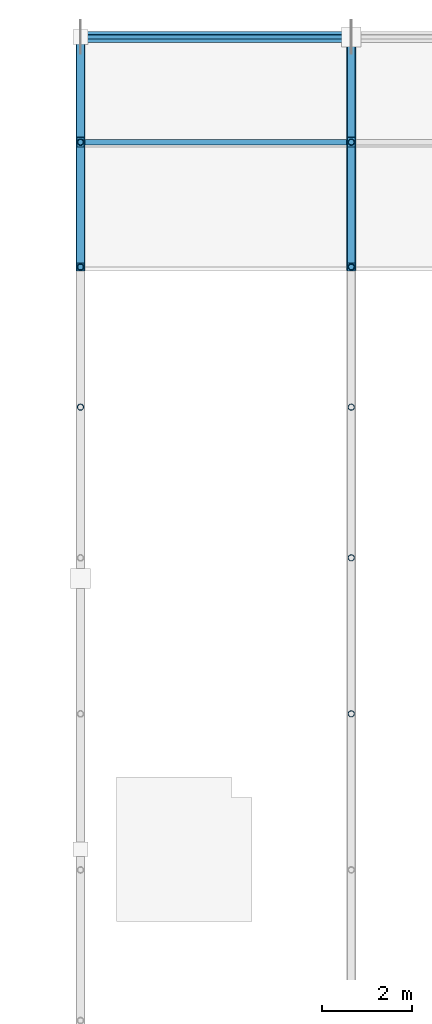
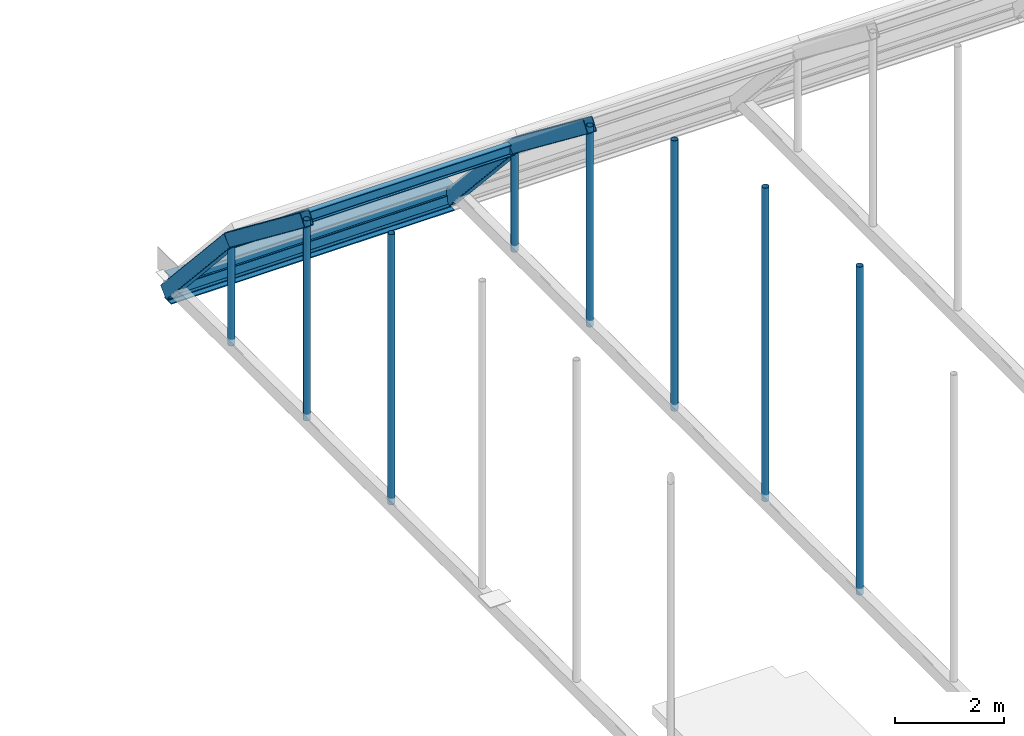
# One storey, part 22 of 63: 10 members, 5 beams.
"""IFC4 building model written with IfcOpenShell, lengths in metres."""

from ifc_helpers import new_model, si_unit, direction, frame, origin, origin_2d, place, context, subcontext, project, spatial, hollow_rectangle, hollow_circle, i_section, extrude, material, material_profile, profile_set, type_object, element, save


model = new_model("IFC4")

# Units and contexts
model_context = context("Model", 3, precision=1e-05, world=origin(), true_north=direction((0.0, 1.0)))
body_context = subcontext(model_context, "Body", "Model", "MODEL_VIEW")
ifc_project = project(units=[si_unit("LENGTHUNIT", "METRE"), si_unit("AREAUNIT", "SQUARE_METRE"), si_unit("VOLUMEUNIT", "CUBIC_METRE"), si_unit("PLANEANGLEUNIT", "RADIAN"), si_unit("MASSUNIT", "GRAM", prefix="KILO")], contexts=[model_context])

# Site, building, storey
site_placement = place(None, origin())
site = spatial("IfcSite", under=ifc_project, at=site_placement, CompositionType="ELEMENT")
building_placement = place(site_placement, origin())
building = spatial("IfcBuilding", under=site, at=building_placement, Name="Varnakota Square Police Headquarters", CompositionType="ELEMENT")
storey_placement = place(building_placement, frame((0.0, 0.0, 22.199951171875)))
storey = spatial("IfcBuildingStorey", under=building, at=storey_placement, Name="L05", CompositionType="ELEMENT", Elevation=22.199951171875)

# Beams
ifc_material = material(Name="Steel IS 2062 Grade 350", Category="steel")
ifc_material_profile_1 = material_profile(ifc_material, i_section(OverallWidth=0.25, OverallDepth=0.60009765625, WebThickness=0.01171875, FlangeThickness=0.023681640625, FilletRadius=0.01708984375, at=origin_2d()), Name="ISWB 600")
ifc_profile_set_1 = profile_set([ifc_material_profile_1], Name="Steel IS 2062 Grade 350")
beam_type_1 = type_object("IfcBeamType", Name="BM-ISWB600", PredefinedType="BEAM", material=ifc_profile_set_1)
beam_1_placement = place(storey_placement, frame((60.0, 99.0, -0.300048828125), z_axis=(1.0, 0.0, 0.0), x_axis=(0.0, 1.0, 0.0)))
element("IfcBeam", 1, at=beam_1_placement, inside=storey, type_object=beam_type_1, Name="Vault V2 north ring beam", PredefinedType="BEAM", context=body_context, shape_type="SweptSolid", body=[
    extrude(i_section(OverallWidth=0.25, OverallDepth=0.60009765625, WebThickness=0.01171875, FlangeThickness=0.023681640625, FilletRadius=0.01708984375, at=origin_2d()), origin(), (0.0, 0.0, 1.0), 6.0),
])
ifc_material_profile_2 = material_profile(ifc_material, hollow_rectangle(XDim=0.199951171875, YDim=0.300048828125, WallThickness=0.011962890625, InnerFilletRadius=0.011962890625, OuterFilletRadius=0.02392578125, at=origin_2d()), Name="RHS 300x200x12")
ifc_profile_set_2 = profile_set([ifc_material_profile_2], Name="Steel IS 2062 Grade 350")
beam_type_2 = type_object("IfcBeamType", Name="BM-VR-RHS300", PredefinedType="BEAM", material=ifc_profile_set_2)
beam_2_placement = place(storey_placement, frame((60.0, 93.902099609375, 4.33837890625), z_axis=(0.0, 0.792062306817, -0.610440252703), x_axis=(-1.0, 0.0, 0.0)))
element("IfcBeam", 2, at=beam_2_placement, inside=storey, type_object=beam_type_2, Name="Barrel vault arch rib chord VR-V2-R01-S09", PredefinedType="BEAM", context=body_context, shape_type="SweptSolid", body=[
    extrude(hollow_rectangle(XDim=0.199951171875, YDim=0.300048828125, WallThickness=0.011962890625, InnerFilletRadius=0.011962890625, OuterFilletRadius=0.02392578125, at=origin_2d()), origin(), (0.0, 0.0, 1.0), 3.4921875),
])
beam_3_placement = place(storey_placement, frame((60.0, 96.668212890625, 2.20654296875), z_axis=(0.0, 0.671520631111, -0.740985858159), x_axis=(-1.0, 0.0, 0.0)))
element("IfcBeam", 3, at=beam_3_placement, inside=storey, type_object=beam_type_2, Name="Barrel vault arch rib chord VR-V2-R01-S10", PredefinedType="BEAM", context=body_context, shape_type="SweptSolid", body=[
    extrude(hollow_rectangle(XDim=0.199951171875, YDim=0.300048828125, WallThickness=0.011962890625, InnerFilletRadius=0.011962890625, OuterFilletRadius=0.02392578125, at=origin_2d()), origin(), (0.0, 0.0, 1.0), 3.472412109375),
])
beam_4_placement = place(storey_placement, frame((66.0, 93.902099609375, 4.33837890625), z_axis=(0.0, 0.792062306817, -0.610440252703), x_axis=(-1.0, 0.0, 0.0)))
element("IfcBeam", 4, at=beam_4_placement, inside=storey, type_object=beam_type_2, Name="Barrel vault arch rib chord VR-V2-R02-S09", PredefinedType="BEAM", context=body_context, shape_type="SweptSolid", body=[
    extrude(hollow_rectangle(XDim=0.199951171875, YDim=0.300048828125, WallThickness=0.011962890625, InnerFilletRadius=0.011962890625, OuterFilletRadius=0.02392578125, at=origin_2d()), origin(), (0.0, 0.0, 1.0), 3.4921875),
])
beam_5_placement = place(storey_placement, frame((66.0, 96.668212890625, 2.20654296875), z_axis=(0.0, 0.671520631111, -0.740985858159), x_axis=(-1.0, 0.0, 0.0)))
element("IfcBeam", 5, at=beam_5_placement, inside=storey, type_object=beam_type_2, Name="Barrel vault arch rib chord VR-V2-R02-S10", PredefinedType="BEAM", context=body_context, shape_type="SweptSolid", body=[
    extrude(hollow_rectangle(XDim=0.199951171875, YDim=0.300048828125, WallThickness=0.011962890625, InnerFilletRadius=0.011962890625, OuterFilletRadius=0.02392578125, at=origin_2d()), origin(), (0.0, 0.0, 1.0), 3.472412109375),
])

# Members
ifc_material_profile_3 = material_profile(ifc_material, hollow_circle(Radius=0.06982421875, WallThickness=0.006103515625, at=origin_2d()), Name="CHS 139.7x6.0")
ifc_profile_set_3 = profile_set([ifc_material_profile_3], Name="Steel IS 2062 Grade 350")
member_type_1 = type_object("IfcMemberType", Name="MEM-HNG-CHS139", PredefinedType="STRUT", material=ifc_profile_set_3)
member_1_placement = place(storey_placement, frame((60.0, 90.79638671875, -0.14990234375), z_axis=(0.0, 0.0, 1.0), x_axis=(1.0, 0.0, 0.0)))
element("IfcMember", 6, at=member_1_placement, inside=storey, type_object=member_type_1, Name="Barrel vault hanger strut V2-R01-N7", PredefinedType="STRUT", context=body_context, shape_type="SweptSolid", body=[
    extrude(hollow_circle(Radius=0.06982421875, WallThickness=0.006103515625, at=origin_2d()), origin(), (0.0, 0.0, 1.0), 6.060302734375),
])
member_2_placement = place(storey_placement, frame((60.0, 93.902099609375, -0.14990234375), z_axis=(0.0, 0.0, 1.0), x_axis=(1.0, 0.0, 0.0)))
element("IfcMember", 7, at=member_2_placement, inside=storey, type_object=member_type_1, Name="Barrel vault hanger strut V2-R01-N8", PredefinedType="STRUT", context=body_context, shape_type="SweptSolid", body=[
    extrude(hollow_circle(Radius=0.06982421875, WallThickness=0.006103515625, at=origin_2d()), origin(), (0.0, 0.0, 1.0), 4.48828125),
])
member_3_placement = place(storey_placement, frame((60.0, 96.668212890625, -0.14990234375), z_axis=(0.0, 0.0, 1.0), x_axis=(1.0, 0.0, 0.0)))
element("IfcMember", 8, at=member_3_placement, inside=storey, type_object=member_type_1, Name="Barrel vault hanger strut V2-R01-N9", PredefinedType="STRUT", context=body_context, shape_type="SweptSolid", body=[
    extrude(hollow_circle(Radius=0.06982421875, WallThickness=0.006103515625, at=origin_2d()), origin(), (0.0, 0.0, 1.0), 2.3564453125),
])
member_4_placement = place(storey_placement, frame((66.0, 84.0, -0.14990234375), z_axis=(0.0, 0.0, 1.0), x_axis=(1.0, 0.0, 0.0)))
element("IfcMember", 9, at=member_4_placement, inside=storey, type_object=member_type_1, Name="Barrel vault hanger strut V2-R02-N5", PredefinedType="STRUT", context=body_context, shape_type="SweptSolid", body=[
    extrude(hollow_circle(Radius=0.06982421875, WallThickness=0.006103515625, at=origin_2d()), origin(), (0.0, 0.0, 1.0), 7.351318359375),
])
member_5_placement = place(storey_placement, frame((66.0, 87.45751953125, -0.14990234375), z_axis=(0.0, 0.0, 1.0), x_axis=(1.0, 0.0, 0.0)))
element("IfcMember", 10, at=member_5_placement, inside=storey, type_object=member_type_1, Name="Barrel vault hanger strut V2-R02-N6", PredefinedType="STRUT", context=body_context, shape_type="SweptSolid", body=[
    extrude(hollow_circle(Radius=0.06982421875, WallThickness=0.006103515625, at=origin_2d()), origin(), (0.0, 0.0, 1.0), 7.02490234375),
])
member_6_placement = place(storey_placement, frame((66.0, 90.79638671875, -0.14990234375), z_axis=(0.0, 0.0, 1.0), x_axis=(1.0, 0.0, 0.0)))
element("IfcMember", 11, at=member_6_placement, inside=storey, type_object=member_type_1, Name="Barrel vault hanger strut V2-R02-N7", PredefinedType="STRUT", context=body_context, shape_type="SweptSolid", body=[
    extrude(hollow_circle(Radius=0.06982421875, WallThickness=0.006103515625, at=origin_2d()), origin(), (0.0, 0.0, 1.0), 6.060302734375),
])
member_7_placement = place(storey_placement, frame((66.0, 93.902099609375, -0.14990234375), z_axis=(0.0, 0.0, 1.0), x_axis=(1.0, 0.0, 0.0)))
element("IfcMember", 12, at=member_7_placement, inside=storey, type_object=member_type_1, Name="Barrel vault hanger strut V2-R02-N8", PredefinedType="STRUT", context=body_context, shape_type="SweptSolid", body=[
    extrude(hollow_circle(Radius=0.06982421875, WallThickness=0.006103515625, at=origin_2d()), origin(), (0.0, 0.0, 1.0), 4.48828125),
])
member_8_placement = place(storey_placement, frame((66.0, 96.668212890625, -0.14990234375), z_axis=(0.0, 0.0, 1.0), x_axis=(1.0, 0.0, 0.0)))
element("IfcMember", 13, at=member_8_placement, inside=storey, type_object=member_type_1, Name="Barrel vault hanger strut V2-R02-N9", PredefinedType="STRUT", context=body_context, shape_type="SweptSolid", body=[
    extrude(hollow_circle(Radius=0.06982421875, WallThickness=0.006103515625, at=origin_2d()), origin(), (0.0, 0.0, 1.0), 2.3564453125),
])
ifc_material_profile_4 = material_profile(ifc_material, i_section(OverallWidth=0.125, OverallDepth=0.25, WebThickness=0.0068359375, FlangeThickness=0.012451171875, FilletRadius=0.012939453125, at=origin_2d()), Name="ISMB 250")
ifc_profile_set_4 = profile_set([ifc_material_profile_4], Name="Steel IS 2062 Grade 350")
member_type_2 = type_object("IfcMemberType", Name="MEM-PUR-ISMB250", PredefinedType="PURLIN", material=ifc_profile_set_4)
member_9_placement = place(storey_placement, frame((60.0, 96.668212890625, 2.156494140625), z_axis=(1.0, 0.0, 0.0), x_axis=(0.0, 1.0, 0.0)))
element("IfcMember", 14, at=member_9_placement, inside=storey, type_object=member_type_2, Name="Vault roof purlin V2-B01-N09", PredefinedType="PURLIN", context=body_context, shape_type="SweptSolid", body=[
    extrude(i_section(OverallWidth=0.125, OverallDepth=0.25, WebThickness=0.0068359375, FlangeThickness=0.012451171875, FilletRadius=0.012939453125, at=origin_2d()), origin(), (0.0, 0.0, 1.0), 6.0),
])
ifc_material_profile_5 = material_profile(ifc_material, hollow_rectangle(XDim=0.10009765625, YDim=0.199951171875, WallThickness=0.008056640625, InnerFilletRadius=0.008056640625, OuterFilletRadius=0.01611328125, at=origin_2d()), Name="RHS 200x100x8")
ifc_profile_set_5 = profile_set([ifc_material_profile_5], Name="Steel IS 2062 Grade 350")
member_type_3 = type_object("IfcMemberType", Name="MEM-PUR-RHS200", PredefinedType="PURLIN", material=ifc_profile_set_5)
member_10_placement = place(storey_placement, frame((60.0, 99.0, -0.377685546875), z_axis=(1.0, 0.0, 0.0), x_axis=(0.0, 1.0, 0.0)))
element("IfcMember", 15, at=member_10_placement, inside=storey, type_object=member_type_3, Name="Vault roof purlin V2-B01-N10", PredefinedType="PURLIN", context=body_context, shape_type="SweptSolid", body=[
    extrude(hollow_rectangle(XDim=0.10009765625, YDim=0.199951171875, WallThickness=0.008056640625, InnerFilletRadius=0.008056640625, OuterFilletRadius=0.01611328125, at=origin_2d()), origin(), (0.0, 0.0, 1.0), 6.0),
])

save(model, "model.ifc")
